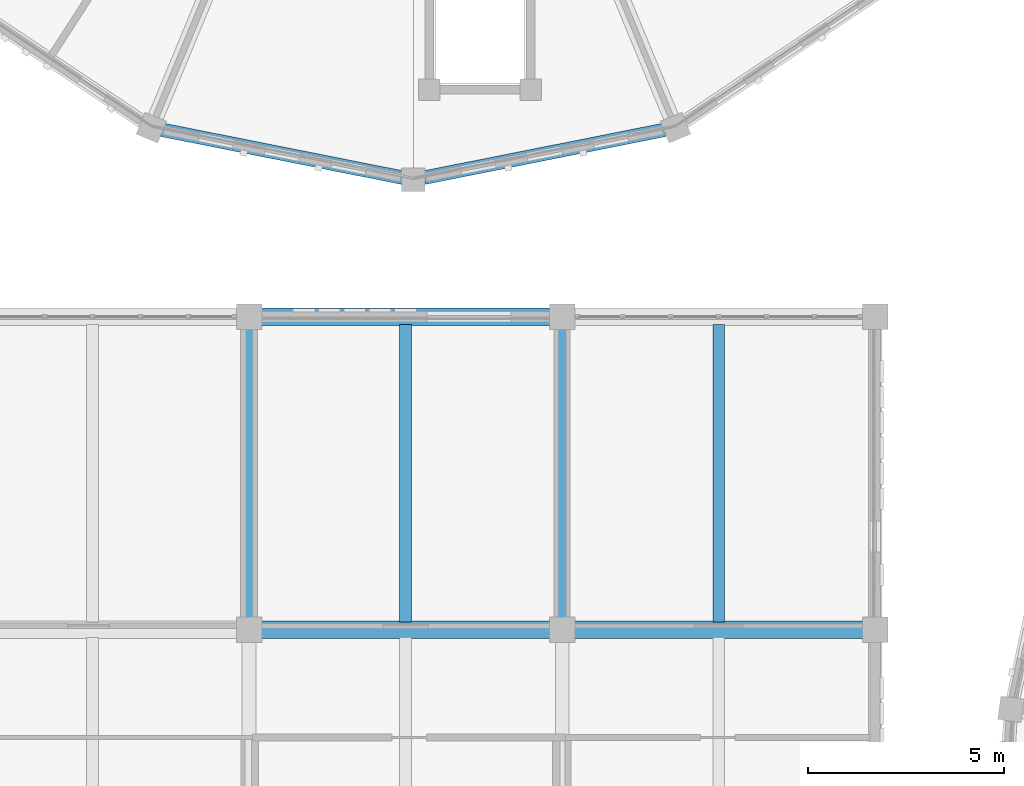
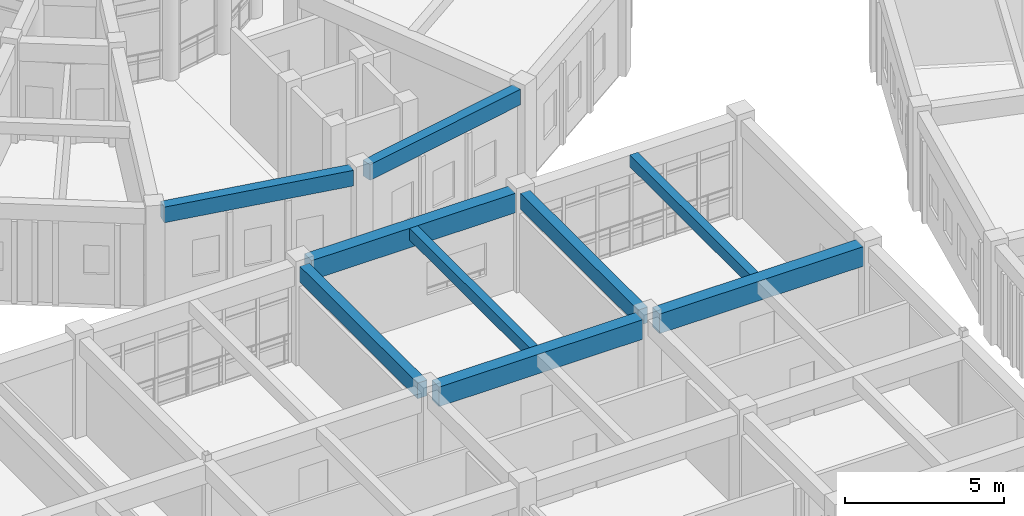
# One storey, part 23 of 112: 9 beams.
"""IFC4 building model written with IfcOpenShell, lengths in metres."""

import ifcopenshell
import ifcopenshell.guid

model = None  # the IFC model being written
_history = None  # IfcOwnerHistory: only IFC2X3 demands one
_inside = {}  # id of a spatial element -> (the spatial element, [elements in it])
_under = {}  # id of a project, library or spatial element -> (it, [spatial elements below it])
_declared = {}  # id of a project -> (the project, [libraries it declares])
_typed = {}  # id of a type object -> (the type object, [elements of that type])
_made_of = {}  # id of a material, layer set ... -> (it, [elements and type objects made of it])


def new_model(schema):
    """Start an empty IFC model of exactly this schema.

    Asked for "IFC4X3", IfcOpenShell would pick the latest addendum, in which some entities
    have other attributes; the version numbers below select the first issue.
    IFC2X3 requires an IfcOwnerHistory on every rooted entity: one is made here for all.
    """
    global model, _history
    if schema == "IFC4X3":
        model = ifcopenshell.file(schema_version=(4, 3, 0, 0))
    else:
        model = ifcopenshell.file(schema=schema)
    _inside.clear()
    _under.clear()
    _declared.clear()
    _typed.clear()
    _made_of.clear()
    _history = None
    if model.schema == "IFC2X3":
        org = make("IfcOrganization", Name="unknown")
        user = make(
            "IfcPersonAndOrganization",
            ThePerson=make("IfcPerson", FamilyName="unknown"),
            TheOrganization=org,
        )
        app = make(
            "IfcApplication",
            ApplicationDeveloper=org,
            Version="unknown",
            ApplicationFullName="unknown",
            ApplicationIdentifier="unknown",
        )
        _history = make(
            "IfcOwnerHistory",
            OwningUser=user,
            OwningApplication=app,
            ChangeAction="ADDED",
            CreationDate=0,
        )
    return model


def make(cls, **values):
    """One entity of the class cls with the attributes given. An attribute that is None is left unset."""
    return model.create_entity(
        cls, **{name: value for name, value in values.items() if value is not None}
    )


def rooted(cls, **values):
    """An entity with a GlobalId (a new one), such as an element, a storey or a relation."""
    return make(cls, GlobalId=ifcopenshell.guid.new(), OwnerHistory=_history, **values)


def si_unit(unit_type, name, prefix=None):
    """IfcSIUnit, for example si_unit("LENGTHUNIT", "METRE", prefix="MILLI")."""
    return make("IfcSIUnit", UnitType=unit_type, Prefix=prefix, Name=name)


def assignment(units):
    """IfcUnitAssignment: the units of a project."""
    return None if units is None else make("IfcUnitAssignment", Units=units)


def point(xyz):
    """IfcCartesianPoint."""
    return None if xyz is None else make("IfcCartesianPoint", Coordinates=xyz)


def direction(xyz):
    """IfcDirection."""
    return None if xyz is None else make("IfcDirection", DirectionRatios=xyz)


def frame(location, z_axis=None, x_axis=None):
    """IfcAxis2Placement3D, a coordinate frame: its origin and axes. An axis left out is left unset."""
    return make(
        "IfcAxis2Placement3D",
        Location=point(location),
        Axis=direction(z_axis),
        RefDirection=direction(x_axis),
    )


def frame_2d(location, x_axis=None):
    """IfcAxis2Placement2D, a coordinate frame in the plane: its origin and x axis."""
    return make(
        "IfcAxis2Placement2D", Location=point(location), RefDirection=direction(x_axis)
    )


def origin():
    """The frame at (0, 0, 0) with its axes left unset."""
    return frame((0.0, 0.0, 0.0))


def origin_2d():
    """The frame at (0, 0) in the plane with its x axis left unset."""
    return frame_2d((0.0, 0.0))


def place(relative_to, where):
    """IfcLocalPlacement: puts the frame where relative to a parent placement (None: the world)."""
    return make(
        "IfcLocalPlacement", PlacementRelTo=relative_to, RelativePlacement=where
    )


def context(
    kind, dimensions, precision=None, world=None, true_north=None, identifier=None
):
    """IfcGeometricRepresentationContext, for example the 3D "Model" context."""
    return make(
        "IfcGeometricRepresentationContext",
        ContextIdentifier=identifier,
        ContextType=kind,
        CoordinateSpaceDimension=dimensions,
        Precision=precision,
        WorldCoordinateSystem=world,
        TrueNorth=true_north,
    )


def subcontext(parent, identifier, kind, view, scale=None):
    """IfcGeometricRepresentationSubContext, for example "Body" below "Model"."""
    return make(
        "IfcGeometricRepresentationSubContext",
        ContextIdentifier=identifier,
        ContextType=kind,
        ParentContext=parent,
        TargetScale=scale,
        TargetView=view,
    )


def project(units=None, contexts=None):
    """IfcProject with its units and contexts."""
    return rooted(
        "IfcProject",
        Name="project",
        RepresentationContexts=contexts,
        UnitsInContext=assignment(units),
    )


def spatial(cls, under=None, at=None, **own):
    """A site, building, storey or space (cls), placed at a placement, below another one or the project."""
    s = rooted(cls, ObjectPlacement=at, **own)
    if under is not None:
        _under.setdefault(under.id(), (under, []))[1].append(s)
    return s


def profile(cls, at=None, kind="AREA", **sizes):
    """A parametric profile (cls). Its sizes go by their IFC names, for example OverallWidth=200.0."""
    return make(cls, ProfileType=kind, Position=at, **sizes)


def rectangle(**sizes):
    """IfcRectangleProfileDef."""
    return profile("IfcRectangleProfileDef", **sizes)


def extrude(swept, where, along, depth):
    """IfcExtrudedAreaSolid: the profile swept, set in the frame where, extruded along a direction by depth."""
    return make(
        "IfcExtrudedAreaSolid",
        SweptArea=swept,
        Position=where,
        ExtrudedDirection=direction(along),
        Depth=depth,
    )


def shape(context_of_items, identifier, shape_type, items):
    """IfcShapeRepresentation: the items that make up one representation, for example the "Body"."""
    return make(
        "IfcShapeRepresentation",
        ContextOfItems=context_of_items,
        RepresentationIdentifier=identifier,
        RepresentationType=shape_type,
        Items=items,
    )


def material(Name=None, Category=None):
    """IfcMaterial."""
    return make("IfcMaterial", Name=Name, Category=Category)


def material_profile(
    of_material, cross_section, Name=None, Category=None, Priority=None
):
    """IfcMaterialProfile: a cross section and its material."""
    return make(
        "IfcMaterialProfile",
        Name=Name,
        Material=of_material,
        Profile=cross_section,
        Priority=Priority,
        Category=Category,
    )


def profile_set(profiles, Name=None, composite=None):
    """IfcMaterialProfileSet."""
    return make(
        "IfcMaterialProfileSet",
        Name=Name,
        MaterialProfiles=profiles,
        CompositeProfile=composite,
    )


def made_of(thing, what):
    """Note that an element or type object is made of a material, layer set ...; save() writes the relation."""
    if what is not None:
        _made_of.setdefault(what.id(), (what, []))[1].append(thing)
    return thing


def type_object(cls, material=None, **own):
    """A type object (cls), such as IfcWallType, which elements share."""
    return made_of(rooted(cls, **own), material)


def element(
    cls,
    number,
    at=None,
    inside=None,
    cuts=None,
    type_object=None,
    material=None,
    context=None,
    identifier="Body",
    shape_type=None,
    held_by="IfcProductDefinitionShape",
    body=None,
    shapes=None,
    **own,
):
    """One element of the class cls, such as IfcWall. Its Tag is "e" and its number.

    at: its placement. inside: the storey or other place that contains it. cuts: it is an
    opening in that element (IfcRelVoidsElement). A single representation is given by context,
    identifier, shape_type and body (its items); several are given by shapes. held_by: the class
    of the entity that holds the representations. save() writes the other relations.
    """
    e = rooted(cls, Tag="e%d" % number, ObjectPlacement=at, **own)
    if body is not None:
        shapes = [shape(context, identifier, shape_type, body)]
    if shapes is not None:
        e.Representation = make(held_by, Representations=shapes)
    if inside is not None:
        _inside.setdefault(inside.id(), (inside, []))[1].append(e)
    if cuts is not None:
        rooted(
            "IfcRelVoidsElement", RelatingBuildingElement=cuts, RelatedOpeningElement=e
        )
    if type_object is not None:
        _typed.setdefault(type_object.id(), (type_object, []))[1].append(e)
    return made_of(e, material)


def aggregate(whole, parts):
    """IfcRelAggregates: a whole, such as a stair, and the parts it consists of."""
    return rooted("IfcRelAggregates", RelatingObject=whole, RelatedObjects=parts)


def save(model, path):
    """Write the relations noted so far, then the file.

    IfcRelAggregates (storeys below a building ...), IfcRelContainedInSpatialStructure (elements
    in a storey), IfcRelDefinesByType, IfcRelAssociatesMaterial and IfcRelDeclares: one each for
    every whole, place, type object, material and project.
    """
    for whole, parts in _under.values():
        aggregate(whole, parts)
    for where, things in _inside.values():
        rooted(
            "IfcRelContainedInSpatialStructure",
            RelatedElements=things,
            RelatingStructure=where,
        )
    for kind, things in _typed.values():
        rooted("IfcRelDefinesByType", RelatedObjects=things, RelatingType=kind)
    for what, things in _made_of.values():
        rooted("IfcRelAssociatesMaterial", RelatedObjects=things, RelatingMaterial=what)
    for by, libraries in _declared.values():
        rooted("IfcRelDeclares", RelatingContext=by, RelatedDefinitions=libraries)
    model.write(path)


model = new_model("IFC4")

# Units and contexts
model_context = context("Model", 3, precision=1e-05, world=origin(), true_north=direction((0.0, 1.0)))
body_context = subcontext(model_context, "Body", "Model", "MODEL_VIEW")
ifc_project = project(units=[si_unit("LENGTHUNIT", "METRE"), si_unit("AREAUNIT", "SQUARE_METRE"), si_unit("VOLUMEUNIT", "CUBIC_METRE"), si_unit("PLANEANGLEUNIT", "RADIAN"), si_unit("MASSUNIT", "GRAM", prefix="KILO")], contexts=[model_context])

# Site, building, storey
site_placement = place(None, origin())
site = spatial("IfcSite", under=ifc_project, at=site_placement, CompositionType="ELEMENT")
building_placement = place(site_placement, origin())
building = spatial("IfcBuilding", under=site, at=building_placement, Name="Celadon Cloister-Ring School", CompositionType="ELEMENT")
storey_placement = place(building_placement, frame((0.0, 0.0, 8.5)))
storey = spatial("IfcBuildingStorey", under=building, at=storey_placement, Name="L02", CompositionType="ELEMENT", Elevation=8.5)

# Beams
ifc_material_1 = material(Name="Concrete C35/45", Category="concrete")
ifc_material_profile_1 = material_profile(ifc_material_1, rectangle(XDim=0.35009765625, YDim=0.60009765625, at=origin_2d()), Name="RC350X600")
ifc_profile_set_1 = profile_set([ifc_material_profile_1], Name="Concrete C35/45")
beam_type_1 = type_object("IfcBeamType", Name="BT-02", PredefinedType="BEAM", material=ifc_profile_set_1)
for number, where, z_axis, x_axis, name in (
    (1, (16.0, 68.300048828125, 3.4599609375), (0.0, 1.0, 0.0), (-1.0, 0.0, 0.0), "Beam 1583"),
    (2, (24.0, 68.300048828125, 3.4599609375), (0.0, 1.0, 0.0), (-1.0, 0.0, 0.0), "Beam 1588"),
):
    element("IfcBeam", number, at=place(storey_placement, frame(where, z_axis=z_axis, x_axis=x_axis)), inside=storey, type_object=beam_type_1, Name=name, PredefinedType="BEAM", context=body_context, shape_type="SweptSolid", body=[
        extrude(rectangle(XDim=0.35009765625, YDim=0.60009765625, at=origin_2d()), origin(), (0.0, 0.0, 1.0), 7.39990234375),
    ])
ifc_material_2 = material(Name="Concrete C35/45", Category="concrete")
ifc_material_profile_2 = material_profile(ifc_material_2, rectangle(XDim=0.449951171875, YDim=0.75, at=origin_2d()), Name="RC450X750")
ifc_profile_set_2 = profile_set([ifc_material_profile_2], Name="Concrete C35/45")
beam_type_2 = type_object("IfcBeamType", Name="GT-02", PredefinedType="USERDEFINED", material=ifc_profile_set_2)
for number, where, z_axis, x_axis, name in (
    (3, (16.300048828125, 68.0, 3.385009765625), (1.0, 0.0, 0.0), (0.0, 1.0, 0.0), "Beam 1569"),
    (4, (24.300048828125, 68.0, 3.385009765625), (1.0, 0.0, 0.0), (0.0, 1.0, 0.0), "Beam 1570"),
    (5, (16.300048828125, 76.0, 3.385009765625), (1.0, 0.0, 0.0), (0.0, 1.0, 0.0), "Beam 1573"),
):
    element("IfcBeam", number, at=place(storey_placement, frame(where, z_axis=z_axis, x_axis=x_axis)), inside=storey, type_object=beam_type_2, Name=name, ObjectType="GIRDER", PredefinedType="USERDEFINED", context=body_context, shape_type="SweptSolid", body=[
        extrude(rectangle(XDim=0.449951171875, YDim=0.75, at=origin_2d()), origin(), (0.0, 0.0, 1.0), 7.39990234375),
    ])
ifc_material_3 = material(Name="Concrete C35/45", Category="concrete")
ifc_material_profile_3 = material_profile(ifc_material_3, rectangle(XDim=0.300048828125, YDim=0.449951171875, at=origin_2d()), Name="RC300X450")
ifc_profile_set_3 = profile_set([ifc_material_profile_3], Name="Concrete C35/45")
beam_type_3 = type_object("IfcBeamType", Name="JT-01", PredefinedType="JOIST", material=ifc_profile_set_3)
for number, where, z_axis, x_axis, name in (
    (6, (20.0, 68.199951171875, 3.534912109375), (0.0, 1.0, 0.0), (-1.0, 0.0, 0.0), "Beam 1599"),
    (7, (28.0, 68.199951171875, 3.534912109375), (0.0, 1.0, 0.0), (-1.0, 0.0, 0.0), "Beam 1602"),
):
    element("IfcBeam", number, at=place(storey_placement, frame(where, z_axis=z_axis, x_axis=x_axis)), inside=storey, type_object=beam_type_3, Name=name, PredefinedType="JOIST", context=body_context, shape_type="SweptSolid", body=[
        extrude(rectangle(XDim=0.300048828125, YDim=0.449951171875, at=origin_2d()), origin(), (0.0, 0.0, 1.0), 7.60009765625),
    ])
ifc_material_4 = material(Name="Concrete C35/45", Category="concrete")
ifc_material_profile_4 = material_profile(ifc_material_4, rectangle(XDim=0.35009765625, YDim=0.60009765625, at=origin_2d()), Name="RC350X600")
ifc_profile_set_4 = profile_set([ifc_material_profile_4], Name="Concrete C35/45")
beam_type_4 = type_object("IfcBeamType", Name="SP-01", PredefinedType="SPANDREL", material=ifc_profile_set_4)
for number, where, z_axis, x_axis, name in (
    (8, (13.77294921875, 80.778076171875, 3.47998046875), (0.980802920261, -0.195001619501, 0.0), (0.195001619501, 0.980802920261, 0.0), "Beam 0794"),
    (9, (20.469970703125, 79.553955078125, 3.47998046875), (0.980802920261, 0.195001619501, 0.0), (-0.195001619501, 0.980802920261, 0.0), "Beam 0796"),
):
    element("IfcBeam", number, at=place(storey_placement, frame(where, z_axis=z_axis, x_axis=x_axis)), inside=storey, type_object=beam_type_4, Name=name, PredefinedType="SPANDREL", context=body_context, shape_type="SweptSolid", body=[
        extrude(rectangle(XDim=0.35009765625, YDim=0.60009765625, at=origin_2d()), origin(), (0.0, 0.0, 1.0), 6.277587890625),
    ])

save(model, "model.ifc")
